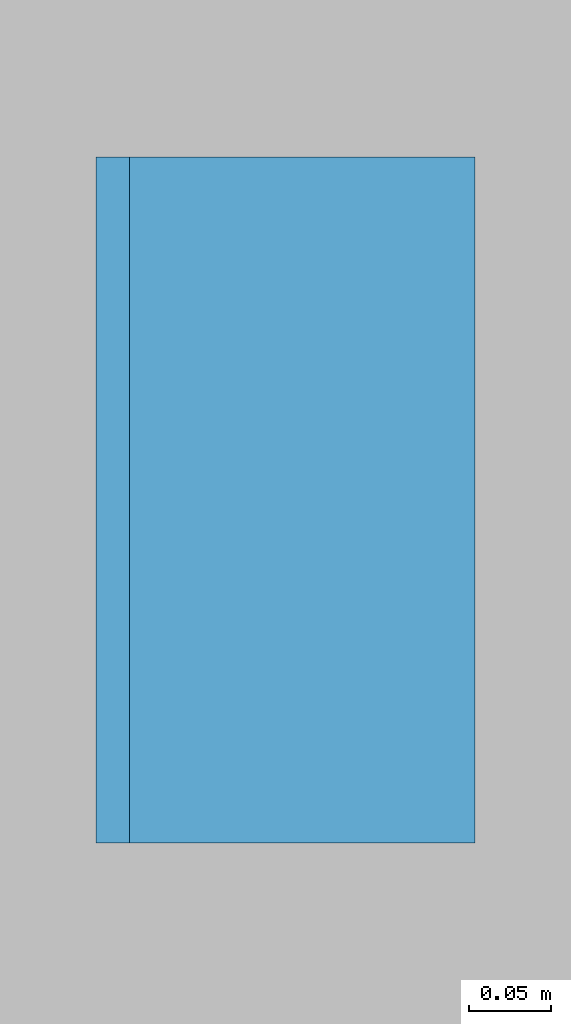
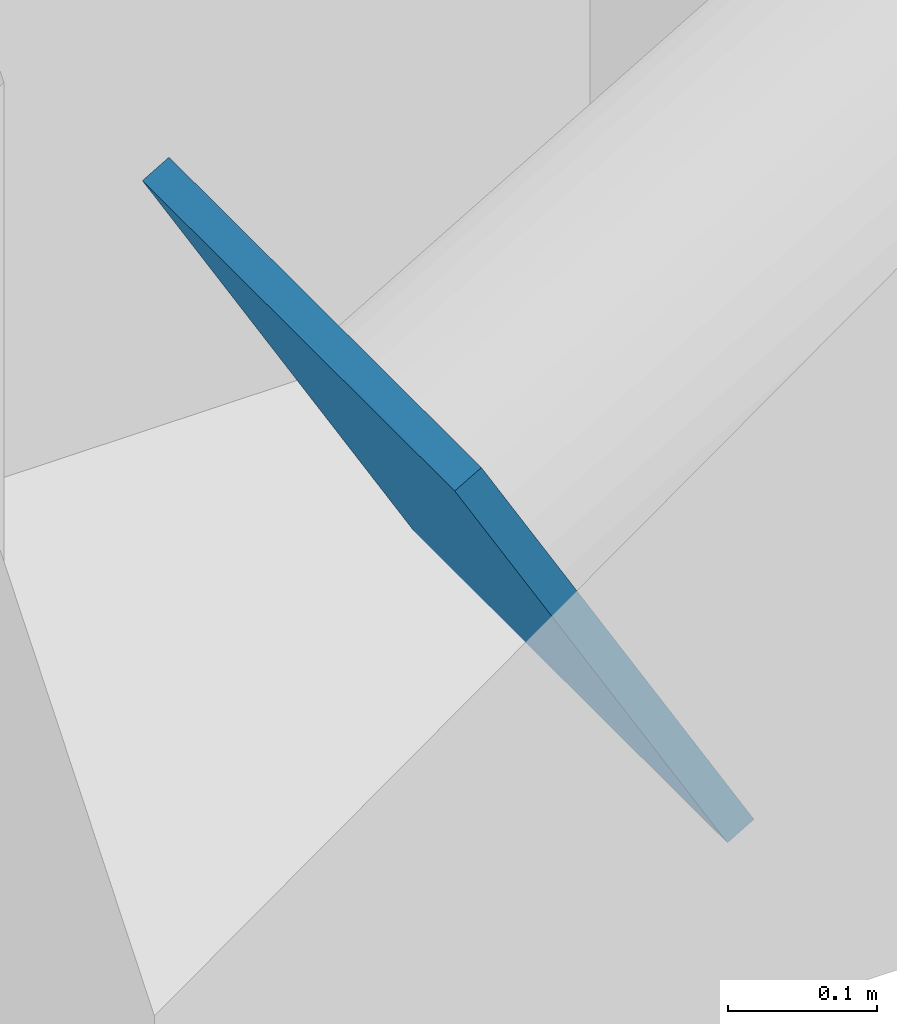
# One storey, part 61 of 99: 1 plate.
"""IFC4 building model written with IfcOpenShell, lengths in metres."""

import ifcopenshell
import ifcopenshell.guid

model = None  # the IFC model being written
_history = None  # IfcOwnerHistory: only IFC2X3 demands one
_inside = {}  # id of a spatial element -> (the spatial element, [elements in it])
_under = {}  # id of a project, library or spatial element -> (it, [spatial elements below it])
_declared = {}  # id of a project -> (the project, [libraries it declares])
_typed = {}  # id of a type object -> (the type object, [elements of that type])
_made_of = {}  # id of a material, layer set ... -> (it, [elements and type objects made of it])


def new_model(schema):
    """Start an empty IFC model of exactly this schema.

    Asked for "IFC4X3", IfcOpenShell would pick the latest addendum, in which some entities
    have other attributes; the version numbers below select the first issue.
    IFC2X3 requires an IfcOwnerHistory on every rooted entity: one is made here for all.
    """
    global model, _history
    if schema == "IFC4X3":
        model = ifcopenshell.file(schema_version=(4, 3, 0, 0))
    else:
        model = ifcopenshell.file(schema=schema)
    _inside.clear()
    _under.clear()
    _declared.clear()
    _typed.clear()
    _made_of.clear()
    _history = None
    if model.schema == "IFC2X3":
        org = make("IfcOrganization", Name="unknown")
        user = make(
            "IfcPersonAndOrganization",
            ThePerson=make("IfcPerson", FamilyName="unknown"),
            TheOrganization=org,
        )
        app = make(
            "IfcApplication",
            ApplicationDeveloper=org,
            Version="unknown",
            ApplicationFullName="unknown",
            ApplicationIdentifier="unknown",
        )
        _history = make(
            "IfcOwnerHistory",
            OwningUser=user,
            OwningApplication=app,
            ChangeAction="ADDED",
            CreationDate=0,
        )
    return model


def make(cls, **values):
    """One entity of the class cls with the attributes given. An attribute that is None is left unset."""
    return model.create_entity(
        cls, **{name: value for name, value in values.items() if value is not None}
    )


def rooted(cls, **values):
    """An entity with a GlobalId (a new one), such as an element, a storey or a relation."""
    return make(cls, GlobalId=ifcopenshell.guid.new(), OwnerHistory=_history, **values)


def si_unit(unit_type, name, prefix=None):
    """IfcSIUnit, for example si_unit("LENGTHUNIT", "METRE", prefix="MILLI")."""
    return make("IfcSIUnit", UnitType=unit_type, Prefix=prefix, Name=name)


def assignment(units):
    """IfcUnitAssignment: the units of a project."""
    return None if units is None else make("IfcUnitAssignment", Units=units)


def point(xyz):
    """IfcCartesianPoint."""
    return None if xyz is None else make("IfcCartesianPoint", Coordinates=xyz)


def direction(xyz):
    """IfcDirection."""
    return None if xyz is None else make("IfcDirection", DirectionRatios=xyz)


def frame(location, z_axis=None, x_axis=None):
    """IfcAxis2Placement3D, a coordinate frame: its origin and axes. An axis left out is left unset."""
    return make(
        "IfcAxis2Placement3D",
        Location=point(location),
        Axis=direction(z_axis),
        RefDirection=direction(x_axis),
    )


def frame_2d(location, x_axis=None):
    """IfcAxis2Placement2D, a coordinate frame in the plane: its origin and x axis."""
    return make(
        "IfcAxis2Placement2D", Location=point(location), RefDirection=direction(x_axis)
    )


def origin():
    """The frame at (0, 0, 0) with its axes left unset."""
    return frame((0.0, 0.0, 0.0))


def origin_2d():
    """The frame at (0, 0) in the plane with its x axis left unset."""
    return frame_2d((0.0, 0.0))


def place(relative_to, where):
    """IfcLocalPlacement: puts the frame where relative to a parent placement (None: the world)."""
    return make(
        "IfcLocalPlacement", PlacementRelTo=relative_to, RelativePlacement=where
    )


def context(
    kind, dimensions, precision=None, world=None, true_north=None, identifier=None
):
    """IfcGeometricRepresentationContext, for example the 3D "Model" context."""
    return make(
        "IfcGeometricRepresentationContext",
        ContextIdentifier=identifier,
        ContextType=kind,
        CoordinateSpaceDimension=dimensions,
        Precision=precision,
        WorldCoordinateSystem=world,
        TrueNorth=true_north,
    )


def subcontext(parent, identifier, kind, view, scale=None):
    """IfcGeometricRepresentationSubContext, for example "Body" below "Model"."""
    return make(
        "IfcGeometricRepresentationSubContext",
        ContextIdentifier=identifier,
        ContextType=kind,
        ParentContext=parent,
        TargetScale=scale,
        TargetView=view,
    )


def project(units=None, contexts=None):
    """IfcProject with its units and contexts."""
    return rooted(
        "IfcProject",
        Name="project",
        RepresentationContexts=contexts,
        UnitsInContext=assignment(units),
    )


def spatial(cls, under=None, at=None, **own):
    """A site, building, storey or space (cls), placed at a placement, below another one or the project."""
    s = rooted(cls, ObjectPlacement=at, **own)
    if under is not None:
        _under.setdefault(under.id(), (under, []))[1].append(s)
    return s


def profile(cls, at=None, kind="AREA", **sizes):
    """A parametric profile (cls). Its sizes go by their IFC names, for example OverallWidth=200.0."""
    return make(cls, ProfileType=kind, Position=at, **sizes)


def rectangle(**sizes):
    """IfcRectangleProfileDef."""
    return profile("IfcRectangleProfileDef", **sizes)


def extrude(swept, where, along, depth):
    """IfcExtrudedAreaSolid: the profile swept, set in the frame where, extruded along a direction by depth."""
    return make(
        "IfcExtrudedAreaSolid",
        SweptArea=swept,
        Position=where,
        ExtrudedDirection=direction(along),
        Depth=depth,
    )


def shape(context_of_items, identifier, shape_type, items):
    """IfcShapeRepresentation: the items that make up one representation, for example the "Body"."""
    return make(
        "IfcShapeRepresentation",
        ContextOfItems=context_of_items,
        RepresentationIdentifier=identifier,
        RepresentationType=shape_type,
        Items=items,
    )


def material(Name=None, Category=None):
    """IfcMaterial."""
    return make("IfcMaterial", Name=Name, Category=Category)


def layer(
    of_material, thickness, ventilated=None, Name=None, Category=None, Priority=None
):
    """IfcMaterialLayer: one layer of a wall or slab, of a material (None: an air gap)."""
    return make(
        "IfcMaterialLayer",
        Material=of_material,
        LayerThickness=thickness,
        IsVentilated=ventilated,
        Name=Name,
        Category=Category,
        Priority=Priority,
    )


def layer_set(layers, Name=None):
    """IfcMaterialLayerSet."""
    return make("IfcMaterialLayerSet", MaterialLayers=layers, LayerSetName=Name)


def made_of(thing, what):
    """Note that an element or type object is made of a material, layer set ...; save() writes the relation."""
    if what is not None:
        _made_of.setdefault(what.id(), (what, []))[1].append(thing)
    return thing


def type_object(cls, material=None, **own):
    """A type object (cls), such as IfcWallType, which elements share."""
    return made_of(rooted(cls, **own), material)


def element(
    cls,
    number,
    at=None,
    inside=None,
    cuts=None,
    type_object=None,
    material=None,
    context=None,
    identifier="Body",
    shape_type=None,
    held_by="IfcProductDefinitionShape",
    body=None,
    shapes=None,
    **own,
):
    """One element of the class cls, such as IfcWall. Its Tag is "e" and its number.

    at: its placement. inside: the storey or other place that contains it. cuts: it is an
    opening in that element (IfcRelVoidsElement). A single representation is given by context,
    identifier, shape_type and body (its items); several are given by shapes. held_by: the class
    of the entity that holds the representations. save() writes the other relations.
    """
    e = rooted(cls, Tag="e%d" % number, ObjectPlacement=at, **own)
    if body is not None:
        shapes = [shape(context, identifier, shape_type, body)]
    if shapes is not None:
        e.Representation = make(held_by, Representations=shapes)
    if inside is not None:
        _inside.setdefault(inside.id(), (inside, []))[1].append(e)
    if cuts is not None:
        rooted(
            "IfcRelVoidsElement", RelatingBuildingElement=cuts, RelatedOpeningElement=e
        )
    if type_object is not None:
        _typed.setdefault(type_object.id(), (type_object, []))[1].append(e)
    return made_of(e, material)


def aggregate(whole, parts):
    """IfcRelAggregates: a whole, such as a stair, and the parts it consists of."""
    return rooted("IfcRelAggregates", RelatingObject=whole, RelatedObjects=parts)


def save(model, path):
    """Write the relations noted so far, then the file.

    IfcRelAggregates (storeys below a building ...), IfcRelContainedInSpatialStructure (elements
    in a storey), IfcRelDefinesByType, IfcRelAssociatesMaterial and IfcRelDeclares: one each for
    every whole, place, type object, material and project.
    """
    for whole, parts in _under.values():
        aggregate(whole, parts)
    for where, things in _inside.values():
        rooted(
            "IfcRelContainedInSpatialStructure",
            RelatedElements=things,
            RelatingStructure=where,
        )
    for kind, things in _typed.values():
        rooted("IfcRelDefinesByType", RelatedObjects=things, RelatingType=kind)
    for what, things in _made_of.values():
        rooted("IfcRelAssociatesMaterial", RelatedObjects=things, RelatingMaterial=what)
    for by, libraries in _declared.values():
        rooted("IfcRelDeclares", RelatingContext=by, RelatedDefinitions=libraries)
    model.write(path)


model = new_model("IFC4")

# Units and contexts
model_context = context("Model", 3, precision=1e-05, world=origin(), true_north=direction((0.0, 1.0)))
body_context = subcontext(model_context, "Body", "Model", "MODEL_VIEW")
ifc_project = project(units=[si_unit("LENGTHUNIT", "METRE"), si_unit("AREAUNIT", "SQUARE_METRE"), si_unit("VOLUMEUNIT", "CUBIC_METRE"), si_unit("PLANEANGLEUNIT", "RADIAN"), si_unit("MASSUNIT", "GRAM", prefix="KILO")], contexts=[model_context])

# Site, building, storey
site_placement = place(None, origin())
site = spatial("IfcSite", under=ifc_project, at=site_placement, CompositionType="ELEMENT")
building_placement = place(site_placement, origin())
building = spatial("IfcBuilding", under=site, at=building_placement, Name="Vesperath Aquatics Centre", CompositionType="ELEMENT")
storey_placement = place(building_placement, frame((0.0, 0.0, 5.39990234375)))
storey = spatial("IfcBuildingStorey", under=building, at=storey_placement, Name="L01", CompositionType="ELEMENT", Elevation=5.39990234375)

# Plate
ifc_material = material(Name="Steel Q355D", Category="steel")
ifc_layer = layer(ifc_material, 0.02392578125)
ifc_layer_set = layer_set([ifc_layer], Name="Steel Q355D")
plate_type = type_object("IfcPlateType", Name="PT-TN04", PredefinedType="SHEET", material=ifc_layer_set)
plate_placement = place(storey_placement, frame((122.448486328125, 0.0, 0.17822265625), z_axis=(0.863778900717, 0.0, 0.503871025835), x_axis=(0.0, 1.0, 0.0)))
element("IfcPlate", 1, at=plate_placement, inside=storey, type_object=plate_type, Name="Truss Node Cap Plate TN04", PredefinedType="SHEET", context=body_context, shape_type="SweptSolid", body=[
    extrude(rectangle(XDim=0.419921875, YDim=0.419921875, at=origin_2d()), origin(), (0.0, 0.0, 1.0), 0.02392578125),
])

save(model, "model.ifc")
